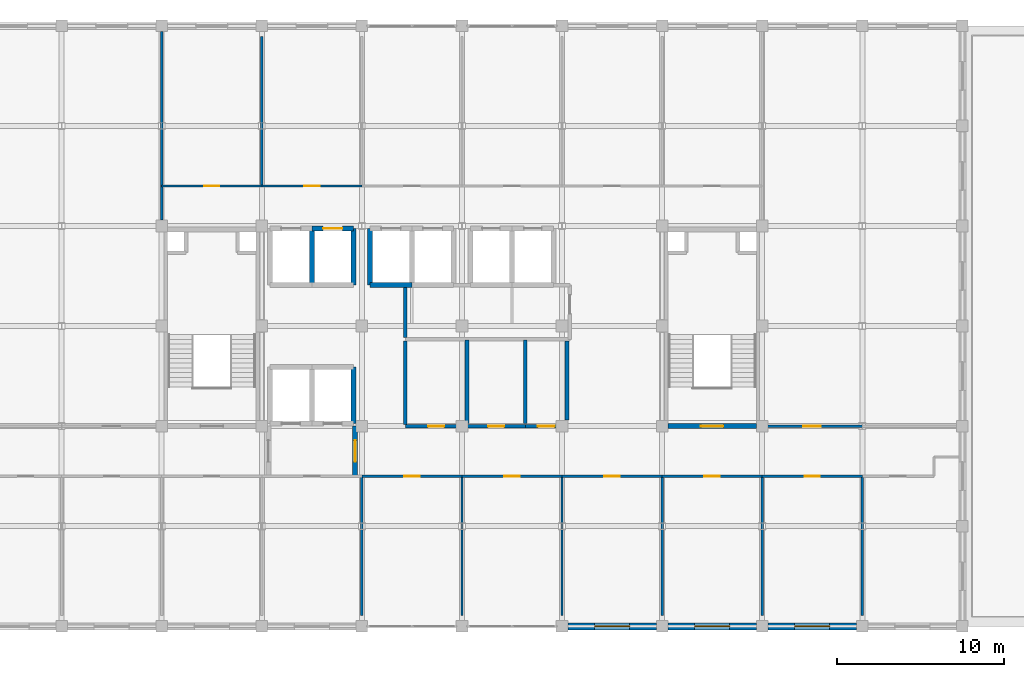
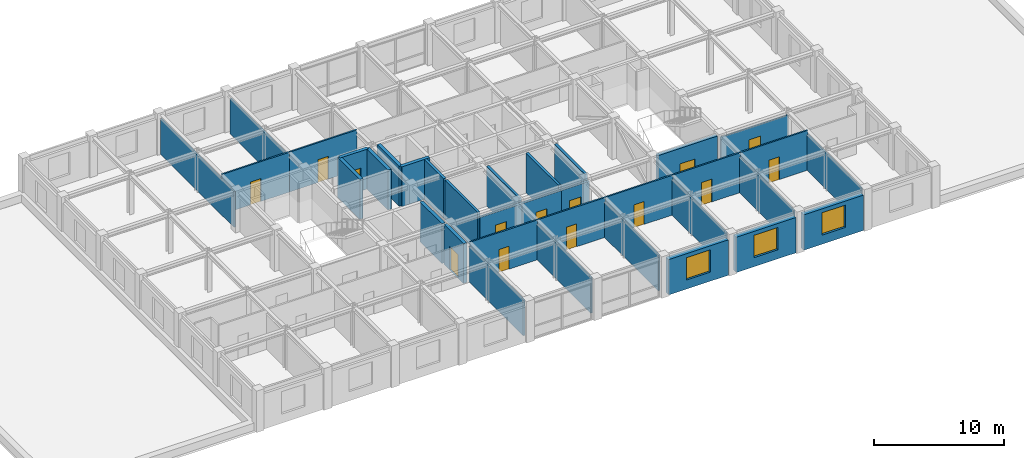
# One storey, part 9 of 13: 35 walls, 14 doors, 3 windows, 17 openings.
"""IFC4 building model written with IfcOpenShell, lengths in metres."""

from ifc_helpers import new_model, si_unit, direction, frame, frame_2d, origin, place, context, subcontext, project, spatial, rectangle, extrude, material, layer, layer_set, type_object, element, fill, save


model = new_model("IFC4")

# Units and contexts
model_context = context("Model", 3, precision=1e-05, world=origin(), true_north=direction((0.0, 1.0)))
body_context = subcontext(model_context, "Body", "Model", "MODEL_VIEW")
ifc_project = project(units=[si_unit("LENGTHUNIT", "METRE"), si_unit("AREAUNIT", "SQUARE_METRE"), si_unit("VOLUMEUNIT", "CUBIC_METRE"), si_unit("PLANEANGLEUNIT", "RADIAN"), si_unit("MASSUNIT", "GRAM", prefix="KILO")], contexts=[model_context])

# Site, building, storey
site_placement = place(None, origin())
site = spatial("IfcSite", under=ifc_project, at=site_placement, CompositionType="ELEMENT")
building_placement = place(site_placement, origin())
building = spatial("IfcBuilding", under=site, at=building_placement, Name="Zlatovratsky Civic Hall", CompositionType="ELEMENT")
storey_placement = place(building_placement, frame((0.0, 0.0, 24.89990234375)))
storey = spatial("IfcBuildingStorey", under=building, at=storey_placement, Name="L06", CompositionType="ELEMENT", Elevation=24.89990234375)

# Wall, opening, door
ifc_material_1 = material(Name="Fire-rated gypsum board framing", Category="gypsum")
ifc_layer_1 = layer(ifc_material_1, 0.139892578125)
ifc_layer_set_1 = layer_set([ifc_layer_1], Name="Fire-rated gypsum board framing")
wall_type_1 = type_object("IfcWallType", Name="Wall_OfficePartition_140", PredefinedType="PARTITIONING", material=ifc_layer_set_1)
wall_1_placement = place(storey_placement, frame((78.0, 81.0, 0.0), z_axis=(0.0, 0.0, 1.0), x_axis=(1.0, 0.0, 0.0)))
wall_1 = element("IfcWall", 1, at=wall_1_placement, inside=storey, type_object=wall_type_1, Name="WL-6306", PredefinedType="PARTITIONING", context=body_context, shape_type="SweptSolid", body=[
    extrude(rectangle(XDim=6.0, YDim=0.139892578125, at=frame_2d((3.0, 0.0))), origin(), (0.0, 0.0, 1.0), 3.739990234375),
])
opening_1_placement = place(wall_1_placement, frame((2.5400390625, 0.0, 0.0)))
opening_1 = element("IfcOpeningElement", 2, at=opening_1_placement, cuts=wall_1, Name="Opening D-23", PredefinedType="OPENING", context=body_context, shape_type="SweptSolid", body=[
    extrude(rectangle(XDim=0.919921875, YDim=2.14990234375, at=frame_2d((0.4599609375, 1.074951171875))), frame((0.0, 0.0849609375, 0.0), z_axis=(0.0, -1.0, 0.0), x_axis=(1.0, 0.0, 0.0)), (0.0, 0.0, 1.0), 0.169677734375),
])
ifc_material_2 = material(Name="Solid oak joinery in steel frame", Category="steel")
door_type_1 = type_object("IfcDoorType", Name="Door_OfficeStandard_920x2150", OperationType="NOTDEFINED", PredefinedType="DOOR", material=ifc_material_2)
door_1_placement = place(opening_1_placement, origin())
door_1 = element("IfcDoor", 3, at=door_1_placement, inside=storey, type_object=door_type_1, Name="DR-5363", OperationType="SINGLE_SWING_RIGHT", OverallHeight=2.14990234375, OverallWidth=0.919921875, PredefinedType="DOOR", context=body_context, shape_type="SweptSolid", body=[
    extrude(rectangle(XDim=0.919921875, YDim=2.14990234375, at=frame_2d((0.4599609375, 1.074951171875))), frame((0.0, 0.02490234375, 0.0), z_axis=(0.0, -1.0, 0.0), x_axis=(1.0, 0.0, 0.0)), (0.0, 0.0, 1.0), 0.050048828125),
])
fill(opening_1, door_1)

wall_2_placement = place(storey_placement, frame((84.0, 81.0, 0.0), z_axis=(0.0, 0.0, 1.0), x_axis=(1.0, 0.0, 0.0)))
wall_2 = element("IfcWall", 4, at=wall_2_placement, inside=storey, type_object=wall_type_1, Name="WL-6307", PredefinedType="PARTITIONING", context=body_context, shape_type="SweptSolid", body=[
    extrude(rectangle(XDim=6.0, YDim=0.139892578125, at=frame_2d((3.0, 0.0))), origin(), (0.0, 0.0, 1.0), 3.739990234375),
])
opening_2_placement = place(wall_2_placement, frame((2.5400390625, 0.0, 0.0)))
opening_2 = element("IfcOpeningElement", 5, at=opening_2_placement, cuts=wall_2, Name="Opening D-23", PredefinedType="OPENING", context=body_context, shape_type="SweptSolid", body=[
    extrude(rectangle(XDim=0.919921875, YDim=2.14990234375, at=frame_2d((0.4599609375, 1.074951171875))), frame((0.0, 0.0849609375, 0.0), z_axis=(0.0, -1.0, 0.0), x_axis=(1.0, 0.0, 0.0)), (0.0, 0.0, 1.0), 0.169677734375),
])
door_2_placement = place(opening_2_placement, origin())
door_2 = element("IfcDoor", 6, at=door_2_placement, inside=storey, type_object=door_type_1, Name="DR-5364", OperationType="SINGLE_SWING_RIGHT", OverallHeight=2.14990234375, OverallWidth=0.919921875, PredefinedType="DOOR", context=body_context, shape_type="SweptSolid", body=[
    extrude(rectangle(XDim=0.919921875, YDim=2.14990234375, at=frame_2d((0.4599609375, 1.074951171875))), frame((0.0, 0.02490234375, 0.0), z_axis=(0.0, -1.0, 0.0), x_axis=(1.0, 0.0, 0.0)), (0.0, 0.0, 1.0), 0.050048828125),
])
fill(opening_2, door_2)

wall_3_placement = place(storey_placement, frame((90.0, 81.0, 0.0), z_axis=(0.0, 0.0, 1.0), x_axis=(1.0, 0.0, 0.0)))
wall_3 = element("IfcWall", 7, at=wall_3_placement, inside=storey, type_object=wall_type_1, Name="WL-6308", PredefinedType="PARTITIONING", context=body_context, shape_type="SweptSolid", body=[
    extrude(rectangle(XDim=6.0, YDim=0.139892578125, at=frame_2d((3.0, 0.0))), origin(), (0.0, 0.0, 1.0), 3.739990234375),
])
opening_3_placement = place(wall_3_placement, frame((2.5400390625, 0.0, 0.0)))
opening_3 = element("IfcOpeningElement", 8, at=opening_3_placement, cuts=wall_3, Name="Opening D-23", PredefinedType="OPENING", context=body_context, shape_type="SweptSolid", body=[
    extrude(rectangle(XDim=0.919921875, YDim=2.14990234375, at=frame_2d((0.4599609375, 1.074951171875))), frame((0.0, 0.0849609375, 0.0), z_axis=(0.0, -1.0, 0.0), x_axis=(1.0, 0.0, 0.0)), (0.0, 0.0, 1.0), 0.169677734375),
])
door_3_placement = place(opening_3_placement, origin())
door_3 = element("IfcDoor", 9, at=door_3_placement, inside=storey, type_object=door_type_1, Name="DR-5365", OperationType="SINGLE_SWING_RIGHT", OverallHeight=2.14990234375, OverallWidth=0.919921875, PredefinedType="DOOR", context=body_context, shape_type="SweptSolid", body=[
    extrude(rectangle(XDim=0.919921875, YDim=2.14990234375, at=frame_2d((0.4599609375, 1.074951171875))), frame((0.0, 0.02490234375, 0.0), z_axis=(0.0, -1.0, 0.0), x_axis=(1.0, 0.0, 0.0)), (0.0, 0.0, 1.0), 0.050048828125),
])
fill(opening_3, door_3)

wall_4_placement = place(storey_placement, frame((96.0, 81.0, 0.0), z_axis=(0.0, 0.0, 1.0), x_axis=(1.0, 0.0, 0.0)))
wall_4 = element("IfcWall", 10, at=wall_4_placement, inside=storey, type_object=wall_type_1, Name="WL-6309", PredefinedType="PARTITIONING", context=body_context, shape_type="SweptSolid", body=[
    extrude(rectangle(XDim=6.0, YDim=0.139892578125, at=frame_2d((3.0, 0.0))), origin(), (0.0, 0.0, 1.0), 3.739990234375),
])
opening_4_placement = place(wall_4_placement, frame((2.5400390625, 0.0, 0.0)))
opening_4 = element("IfcOpeningElement", 11, at=opening_4_placement, cuts=wall_4, Name="Opening D-23", PredefinedType="OPENING", context=body_context, shape_type="SweptSolid", body=[
    extrude(rectangle(XDim=0.919921875, YDim=2.14990234375, at=frame_2d((0.4599609375, 1.074951171875))), frame((0.0, 0.0849609375, 0.0), z_axis=(0.0, -1.0, 0.0), x_axis=(1.0, 0.0, 0.0)), (0.0, 0.0, 1.0), 0.169677734375),
])
door_4_placement = place(opening_4_placement, origin())
door_4 = element("IfcDoor", 12, at=door_4_placement, inside=storey, type_object=door_type_1, Name="DR-5366", OperationType="SINGLE_SWING_RIGHT", OverallHeight=2.14990234375, OverallWidth=0.919921875, PredefinedType="DOOR", context=body_context, shape_type="SweptSolid", body=[
    extrude(rectangle(XDim=0.919921875, YDim=2.14990234375, at=frame_2d((0.4599609375, 1.074951171875))), frame((0.0, 0.02490234375, 0.0), z_axis=(0.0, -1.0, 0.0), x_axis=(1.0, 0.0, 0.0)), (0.0, 0.0, 1.0), 0.050048828125),
])
fill(opening_4, door_4)

wall_5_placement = place(storey_placement, frame((102.0, 81.0, 0.0), z_axis=(0.0, 0.0, 1.0), x_axis=(1.0, 0.0, 0.0)))
wall_5 = element("IfcWall", 13, at=wall_5_placement, inside=storey, type_object=wall_type_1, Name="WL-6310", PredefinedType="PARTITIONING", context=body_context, shape_type="SweptSolid", body=[
    extrude(rectangle(XDim=6.0, YDim=0.139892578125, at=frame_2d((3.0, 0.0))), origin(), (0.0, 0.0, 1.0), 3.739990234375),
])
opening_5_placement = place(wall_5_placement, frame((2.5400390625, 0.0, 0.0)))
opening_5 = element("IfcOpeningElement", 14, at=opening_5_placement, cuts=wall_5, Name="Opening D-23", PredefinedType="OPENING", context=body_context, shape_type="SweptSolid", body=[
    extrude(rectangle(XDim=0.919921875, YDim=2.14990234375, at=frame_2d((0.4599609375, 1.074951171875))), frame((0.0, 0.0849609375, 0.0), z_axis=(0.0, -1.0, 0.0), x_axis=(1.0, 0.0, 0.0)), (0.0, 0.0, 1.0), 0.169677734375),
])
door_5_placement = place(opening_5_placement, origin())
door_5 = element("IfcDoor", 15, at=door_5_placement, inside=storey, type_object=door_type_1, Name="DR-5367", OperationType="SINGLE_SWING_RIGHT", OverallHeight=2.14990234375, OverallWidth=0.919921875, PredefinedType="DOOR", context=body_context, shape_type="SweptSolid", body=[
    extrude(rectangle(XDim=0.919921875, YDim=2.14990234375, at=frame_2d((0.4599609375, 1.074951171875))), frame((0.0, 0.02490234375, 0.0), z_axis=(0.0, -1.0, 0.0), x_axis=(1.0, 0.0, 0.0)), (0.0, 0.0, 1.0), 0.050048828125),
])
fill(opening_5, door_5)

wall_6_placement = place(storey_placement, frame((66.0, 98.39990234375, 0.0), z_axis=(0.0, 0.0, 1.0), x_axis=(1.0, 0.0, 0.0)))
wall_6 = element("IfcWall", 16, at=wall_6_placement, inside=storey, type_object=wall_type_1, Name="WL-6312", PredefinedType="PARTITIONING", context=body_context, shape_type="SweptSolid", body=[
    extrude(rectangle(XDim=6.0, YDim=0.139892578125, at=frame_2d((3.0, 0.0))), origin(), (0.0, 0.0, 1.0), 3.739990234375),
])
opening_6_placement = place(wall_6_placement, frame((2.5400390625, 0.0, 0.0)))
opening_6 = element("IfcOpeningElement", 17, at=opening_6_placement, cuts=wall_6, Name="Opening D-23", PredefinedType="OPENING", context=body_context, shape_type="SweptSolid", body=[
    extrude(rectangle(XDim=0.919921875, YDim=2.14990234375, at=frame_2d((0.4599609375, 1.074951171875))), frame((0.0, 0.0849609375, 0.0), z_axis=(0.0, -1.0, 0.0), x_axis=(1.0, 0.0, 0.0)), (0.0, 0.0, 1.0), 0.169677734375),
])
door_6_placement = place(opening_6_placement, origin())
door_6 = element("IfcDoor", 18, at=door_6_placement, inside=storey, type_object=door_type_1, Name="DR-5369", OperationType="SINGLE_SWING_RIGHT", OverallHeight=2.14990234375, OverallWidth=0.919921875, PredefinedType="DOOR", context=body_context, shape_type="SweptSolid", body=[
    extrude(rectangle(XDim=0.919921875, YDim=2.14990234375, at=frame_2d((0.4599609375, 1.074951171875))), frame((0.0, 0.02490234375, 0.0), z_axis=(0.0, -1.0, 0.0), x_axis=(1.0, 0.0, 0.0)), (0.0, 0.0, 1.0), 0.050048828125),
])
fill(opening_6, door_6)

wall_7_placement = place(storey_placement, frame((72.0, 98.39990234375, 0.0), z_axis=(0.0, 0.0, 1.0), x_axis=(1.0, 0.0, 0.0)))
wall_7 = element("IfcWall", 19, at=wall_7_placement, inside=storey, type_object=wall_type_1, Name="WL-6313", PredefinedType="PARTITIONING", context=body_context, shape_type="SweptSolid", body=[
    extrude(rectangle(XDim=6.0, YDim=0.139892578125, at=frame_2d((3.0, 0.0))), origin(), (0.0, 0.0, 1.0), 3.739990234375),
])
opening_7_placement = place(wall_7_placement, frame((2.5400390625, 0.0, 0.0)))
opening_7 = element("IfcOpeningElement", 20, at=opening_7_placement, cuts=wall_7, Name="Opening D-23", PredefinedType="OPENING", context=body_context, shape_type="SweptSolid", body=[
    extrude(rectangle(XDim=0.919921875, YDim=2.14990234375, at=frame_2d((0.4599609375, 1.074951171875))), frame((0.0, 0.0849609375, 0.0), z_axis=(0.0, -1.0, 0.0), x_axis=(1.0, 0.0, 0.0)), (0.0, 0.0, 1.0), 0.169677734375),
])
door_7_placement = place(opening_7_placement, origin())
door_7 = element("IfcDoor", 21, at=door_7_placement, inside=storey, type_object=door_type_1, Name="DR-5370", OperationType="SINGLE_SWING_RIGHT", OverallHeight=2.14990234375, OverallWidth=0.919921875, PredefinedType="DOOR", context=body_context, shape_type="SweptSolid", body=[
    extrude(rectangle(XDim=0.919921875, YDim=2.14990234375, at=frame_2d((0.4599609375, 1.074951171875))), frame((0.0, 0.02490234375, 0.0), z_axis=(0.0, -1.0, 0.0), x_axis=(1.0, 0.0, 0.0)), (0.0, 0.0, 1.0), 0.050048828125),
])
fill(opening_7, door_7)

wall_8_placement = place(storey_placement, frame((102.0, 84.0, 0.0), z_axis=(0.0, 0.0, 1.0), x_axis=(1.0, 0.0, 0.0)))
wall_8 = element("IfcWall", 22, at=wall_8_placement, inside=storey, type_object=wall_type_1, Name="WL-6319", PredefinedType="PARTITIONING", context=body_context, shape_type="SweptSolid", body=[
    extrude(rectangle(XDim=6.0, YDim=0.139892578125, at=frame_2d((3.0, 0.0))), origin(), (0.0, 0.0, 1.0), 3.35205078125),
])
opening_8_placement = place(wall_8_placement, frame((2.47509765625, 0.0, 0.0)))
opening_8 = element("IfcOpeningElement", 23, at=opening_8_placement, cuts=wall_8, Name="Opening D-24", PredefinedType="OPENING", context=body_context, shape_type="SweptSolid", body=[
    extrude(rectangle(XDim=1.050048828125, YDim=2.25, at=frame_2d((0.52490234375, 1.125))), frame((0.0, 0.0849609375, 0.0), z_axis=(0.0, -1.0, 0.0), x_axis=(1.0, 0.0, 0.0)), (0.0, 0.0, 1.0), 0.169677734375),
])
door_type_2 = type_object("IfcDoorType", Name="Door_DirectorateOffice_1050x2250", OperationType="NOTDEFINED", PredefinedType="DOOR", material=ifc_material_2)
door_8_placement = place(opening_8_placement, origin())
door_8 = element("IfcDoor", 24, at=door_8_placement, inside=storey, type_object=door_type_2, Name="DR-5376", OperationType="SINGLE_SWING_LEFT", OverallHeight=2.25, OverallWidth=1.050048828125, PredefinedType="DOOR", context=body_context, shape_type="SweptSolid", body=[
    extrude(rectangle(XDim=1.050048828125, YDim=2.25, at=frame_2d((0.52490234375, 1.125))), frame((0.0, 0.02490234375, 0.0), z_axis=(0.0, -1.0, 0.0), x_axis=(1.0, 0.0, 0.0)), (0.0, 0.0, 1.0), 0.050048828125),
])
fill(opening_8, door_8)

# Walls
for number, where, z_axis, x_axis, name in (
    (25, (78.0, 72.64990234375, 0.0), (0.0, 0.0, 1.0), (0.0, 1.0, 0.0), "WL-6323"),
    (26, (84.0, 72.64990234375, 0.0), (0.0, 0.0, 1.0), (0.0, 1.0, 0.0), "WL-6324"),
    (27, (90.0, 72.64990234375, 0.0), (0.0, 0.0, 1.0), (0.0, 1.0, 0.0), "WL-6325"),
    (28, (96.0, 72.64990234375, 0.0), (0.0, 0.0, 1.0), (0.0, 1.0, 0.0), "WL-6326"),
    (29, (102.0, 72.64990234375, 0.0), (0.0, 0.0, 1.0), (0.0, 1.0, 0.0), "WL-6327"),
    (30, (108.0, 72.64990234375, 0.0), (0.0, 0.0, 1.0), (0.0, 1.0, 0.0), "WL-6328"),
):
    element("IfcWall", number, at=place(storey_placement, frame(where, z_axis=z_axis, x_axis=x_axis)), inside=storey, type_object=wall_type_1, Name=name, PredefinedType="PARTITIONING", context=body_context, shape_type="SweptSolid", body=[
        extrude(rectangle(XDim=8.35009765625, YDim=0.139892578125, at=frame_2d((4.175048828125, 0.0))), origin(), (0.0, 0.0, 1.0), 3.35205078125),
    ])
wall_9_placement = place(storey_placement, frame((72.0, 98.39990234375, 0.0), z_axis=(0.0, 0.0, 1.0), x_axis=(0.0, 1.0, 0.0)))
element("IfcWall", 31, at=wall_9_placement, inside=storey, type_object=wall_type_1, Name="WL-6329", PredefinedType="PARTITIONING", context=body_context, shape_type="SweptSolid", body=[
    extrude(rectangle(XDim=8.9501953125, YDim=0.139892578125, at=frame_2d((4.47509765625, 0.0))), origin(), (0.0, 0.0, 1.0), 3.35205078125),
])
wall_10_placement = place(storey_placement, frame((66.0, 96.35009765625, 0.0), z_axis=(0.0, 0.0, 1.0), x_axis=(0.0, 1.0, 0.0)))
element("IfcWall", 32, at=wall_10_placement, inside=storey, type_object=wall_type_1, Name="WL-6343", PredefinedType="PARTITIONING", context=body_context, shape_type="SweptSolid", body=[
    extrude(rectangle(XDim=11.2998046875, YDim=0.139892578125, at=frame_2d((5.64990234375, 0.0))), origin(), (0.0, 0.0, 1.0), 3.35205078125),
])

# Wall, opening, door
ifc_material_3 = material(Name="Acoustic ceramic blockwork", Category="masonry")
ifc_layer_2 = layer(ifc_material_3, 0.219970703125)
ifc_layer_set_2 = layer_set([ifc_layer_2], Name="Acoustic ceramic blockwork")
wall_type_2 = type_object("IfcWallType", Name="Wall_SanitaryWetCore_220", PredefinedType="PARTITIONING", material=ifc_layer_set_2)
wall_11_placement = place(storey_placement, frame((80.60009765625, 84.0, 0.0), z_axis=(0.0, 0.0, 1.0), x_axis=(1.0, 0.0, 0.0)))
wall_11 = element("IfcWall", 33, at=wall_11_placement, inside=storey, type_object=wall_type_2, Name="WL-6295", PredefinedType="PARTITIONING", context=body_context, shape_type="SweptSolid", body=[
    extrude(rectangle(XDim=3.699951171875, YDim=0.219970703125, at=frame_2d((1.85009765625, 0.0))), origin(), (0.0, 0.0, 1.0), 3.35205078125),
])
opening_9_placement = place(wall_11_placement, frame((1.375, 0.0, 0.0)))
opening_9 = element("IfcOpeningElement", 34, at=opening_9_placement, cuts=wall_11, Name="Opening D-21", PredefinedType="OPENING", context=body_context, shape_type="SweptSolid", body=[
    extrude(rectangle(XDim=0.949951171875, YDim=2.14990234375, at=frame_2d((0.47509765625, 1.074951171875))), frame((0.0, 0.125, 0.0), z_axis=(0.0, -1.0, 0.0), x_axis=(1.0, 0.0, 0.0)), (0.0, 0.0, 1.0), 0.249755859375),
])
door_type_3 = type_object("IfcDoorType", Name="Door_MensWC_950x2150", OperationType="NOTDEFINED", PredefinedType="DOOR", material=ifc_material_2)
door_9_placement = place(opening_9_placement, origin())
door_9 = element("IfcDoor", 35, at=door_9_placement, inside=storey, type_object=door_type_3, Name="DR-5355", OperationType="SINGLE_SWING_LEFT", OverallHeight=2.14990234375, OverallWidth=0.949951171875, PredefinedType="DOOR", context=body_context, shape_type="SweptSolid", body=[
    extrude(rectangle(XDim=0.949951171875, YDim=2.14990234375, at=frame_2d((0.47509765625, 1.074951171875))), frame((0.0, 0.02490234375, 0.0), z_axis=(0.0, -1.0, 0.0), x_axis=(1.0, 0.0, 0.0)), (0.0, 0.0, 1.0), 0.050048828125),
])
fill(opening_9, door_9)

wall_12_placement = place(storey_placement, frame((84.300048828125, 84.0, 0.0), z_axis=(0.0, 0.0, 1.0), x_axis=(1.0, 0.0, 0.0)))
wall_12 = element("IfcWall", 36, at=wall_12_placement, inside=storey, type_object=wall_type_2, Name="WL-6296", PredefinedType="PARTITIONING", context=body_context, shape_type="SweptSolid", body=[
    extrude(rectangle(XDim=3.5, YDim=0.219970703125, at=frame_2d((1.75, 0.0))), origin(), (0.0, 0.0, 1.0), 3.35205078125),
])
opening_10_placement = place(wall_12_placement, frame((1.27490234375, 0.0, 0.0)))
opening_10 = element("IfcOpeningElement", 37, at=opening_10_placement, cuts=wall_12, Name="Opening D-22", PredefinedType="OPENING", context=body_context, shape_type="SweptSolid", body=[
    extrude(rectangle(XDim=0.949951171875, YDim=2.10009765625, at=frame_2d((0.47509765625, 1.050048828125))), frame((0.0, 0.125, 0.0), z_axis=(0.0, -1.0, 0.0), x_axis=(1.0, 0.0, 0.0)), (0.0, 0.0, 1.0), 0.249755859375),
])
door_type_4 = type_object("IfcDoorType", Name="Door_WomensWC_950x2100", OperationType="NOTDEFINED", PredefinedType="DOOR", material=ifc_material_2)
door_10_placement = place(opening_10_placement, origin())
door_10 = element("IfcDoor", 38, at=door_10_placement, inside=storey, type_object=door_type_4, Name="DR-5356", OperationType="SINGLE_SWING_RIGHT", OverallHeight=2.10009765625, OverallWidth=0.949951171875, PredefinedType="DOOR", context=body_context, shape_type="SweptSolid", body=[
    extrude(rectangle(XDim=0.949951171875, YDim=2.10009765625, at=frame_2d((0.47509765625, 1.050048828125))), frame((0.0, 0.02490234375, 0.0), z_axis=(0.0, -1.0, 0.0), x_axis=(1.0, 0.0, 0.0)), (0.0, 0.0, 1.0), 0.050048828125),
])
fill(opening_10, door_10)

wall_13_placement = place(storey_placement, frame((87.800048828125, 84.0, 0.0), z_axis=(0.0, 0.0, 1.0), x_axis=(1.0, 0.0, 0.0)))
wall_13 = element("IfcWall", 39, at=wall_13_placement, inside=storey, type_object=wall_type_2, Name="WL-6297", PredefinedType="PARTITIONING", context=body_context, shape_type="SweptSolid", body=[
    extrude(rectangle(XDim=2.5, YDim=0.219970703125, at=frame_2d((1.25, 0.0))), origin(), (0.0, 0.0, 1.0), 3.35205078125),
])
opening_11_placement = place(wall_13_placement, frame((0.75, 0.0, 0.0)))
opening_11 = element("IfcOpeningElement", 40, at=opening_11_placement, cuts=wall_13, Name="Opening D-20", PredefinedType="OPENING", context=body_context, shape_type="SweptSolid", body=[
    extrude(rectangle(XDim=1.0, YDim=2.14990234375, at=frame_2d((0.5, 1.074951171875))), frame((0.0, 0.125, 0.0), z_axis=(0.0, -1.0, 0.0), x_axis=(1.0, 0.0, 0.0)), (0.0, 0.0, 1.0), 0.249755859375),
])
door_type_5 = type_object("IfcDoorType", Name="Door_AccessibleWC_1000x2150", OperationType="NOTDEFINED", PredefinedType="DOOR", material=ifc_material_2)
door_11_placement = place(opening_11_placement, origin())
door_11 = element("IfcDoor", 41, at=door_11_placement, inside=storey, type_object=door_type_5, Name="DR-5357", OperationType="SINGLE_SWING_LEFT", OverallHeight=2.14990234375, OverallWidth=1.0, PredefinedType="DOOR", context=body_context, shape_type="SweptSolid", body=[
    extrude(rectangle(XDim=1.0, YDim=2.14990234375, at=frame_2d((0.5, 1.074951171875))), frame((0.0, 0.02490234375, 0.0), z_axis=(0.0, -1.0, 0.0), x_axis=(1.0, 0.0, 0.0)), (0.0, 0.0, 1.0), 0.050048828125),
])
fill(opening_11, door_11)

# Walls
for number, where, z_axis, x_axis, name in (
    (42, (84.300048828125, 84.14990234375, 0.0), (0.0, 0.0, 1.0), (0.0, 1.0, 0.0), "WL-6298"),
    (43, (87.800048828125, 84.14990234375, 0.0), (0.0, 0.0, 1.0), (0.0, 1.0, 0.0), "WL-6299"),
):
    element("IfcWall", number, at=place(storey_placement, frame(where, z_axis=z_axis, x_axis=x_axis)), inside=storey, type_object=wall_type_2, Name=name, PredefinedType="PARTITIONING", context=body_context, shape_type="SweptSolid", body=[
        extrude(rectangle(XDim=5.0, YDim=0.219970703125, at=frame_2d((2.5, 0.0))), origin(), (0.0, 0.0, 1.0), 3.739990234375),
    ])
wall_14_placement = place(storey_placement, frame((80.60009765625, 84.110107421875, 0.0), z_axis=(0.0, 0.0, 1.0), x_axis=(0.0, 1.0, 0.0)))
element("IfcWall", 44, at=wall_14_placement, inside=storey, type_object=wall_type_2, Name="WL-6334", PredefinedType="PARTITIONING", context=body_context, shape_type="SweptSolid", body=[
    extrude(rectangle(XDim=4.97998046875, YDim=0.219970703125, at=frame_2d((2.489990234375, 0.0))), origin(), (0.0, 0.0, 1.0), 3.739990234375),
])
wall_15_placement = place(storey_placement, frame((90.300048828125, 84.360107421875, 0.0), z_axis=(0.0, 0.0, 1.0), x_axis=(0.0, 1.0, 0.0)))
element("IfcWall", 45, at=wall_15_placement, inside=storey, type_object=wall_type_2, Name="WL-6335", PredefinedType="PARTITIONING", context=body_context, shape_type="SweptSolid", body=[
    extrude(rectangle(XDim=4.72998046875, YDim=0.219970703125, at=frame_2d((2.364990234375, 0.0))), origin(), (0.0, 0.0, 1.0), 3.739990234375),
])
wall_16_placement = place(storey_placement, frame((80.60009765625, 89.31005859375, 0.0), z_axis=(0.0, 0.0, 1.0), x_axis=(0.0, 1.0, 0.0)))
element("IfcWall", 46, at=wall_16_placement, inside=storey, type_object=wall_type_2, Name="WL-6336", PredefinedType="PARTITIONING", context=body_context, shape_type="SweptSolid", body=[
    extrude(rectangle(XDim=2.989990234375, YDim=0.219970703125, at=frame_2d((1.4951171875, 0.0))), origin(), (0.0, 0.0, 1.0), 3.739990234375),
])

# Wall, opening, door
ifc_material_4 = material(Name="Concrete C35/45 (B40)", Category="concrete")
ifc_layer_3 = layer(ifc_material_4, 0.300048828125)
ifc_layer_set_3 = layer_set([ifc_layer_3], Name="Concrete C35/45 (B40)")
wall_type_3 = type_object("IfcWallType", Name="Wall_StairAndLiftShaft_300", PredefinedType="SHEAR", material=ifc_layer_set_3)
wall_17_placement = place(storey_placement, frame((96.35009765625, 84.0, 0.0), z_axis=(0.0, 0.0, 1.0), x_axis=(1.0, 0.0, 0.0)))
wall_17 = element("IfcWall", 47, at=wall_17_placement, inside=storey, type_object=wall_type_3, Name="WL-5207", PredefinedType="SHEAR", context=body_context, shape_type="SweptSolid", body=[
    extrude(rectangle(XDim=5.2998046875, YDim=0.300048828125, at=frame_2d((2.64990234375, 0.0))), origin(), (0.0, 0.0, 1.0), 3.66015625),
])
opening_12_placement = place(wall_17_placement, frame((1.97509765625, 0.0, 0.0)))
opening_12 = element("IfcOpeningElement", 48, at=opening_12_placement, cuts=wall_17, Name="Opening D-17", PredefinedType="OPENING", context=body_context, shape_type="SweptSolid", body=[
    extrude(rectangle(XDim=1.35009765625, YDim=2.199951171875, at=frame_2d((0.675048828125, 1.10009765625))), frame((0.0, 0.1650390625, 0.0), z_axis=(0.0, -1.0, 0.0), x_axis=(1.0, 0.0, 0.0)), (0.0, 0.0, 1.0), 0.329833984375),
])
ifc_material_5 = material(Name="Insulated painted fire-rated steel leaf", Category="steel")
door_type_6 = type_object("IfcDoorType", Name="Door_StairwellFireTower_1350x2200", OperationType="NOTDEFINED", PredefinedType="DOOR", material=ifc_material_5)
door_12_placement = place(opening_12_placement, origin())
door_12 = element("IfcDoor", 49, at=door_12_placement, inside=storey, type_object=door_type_6, Name="DR-5026", OperationType="SINGLE_SWING_LEFT", OverallHeight=2.199951171875, OverallWidth=1.35009765625, PredefinedType="DOOR", context=body_context, shape_type="SweptSolid", body=[
    extrude(rectangle(XDim=1.35009765625, YDim=2.199951171875, at=frame_2d((0.675048828125, 1.10009765625))), frame((0.0, 0.02490234375, 0.0), z_axis=(0.0, -1.0, 0.0), x_axis=(1.0, 0.0, 0.0)), (0.0, 0.0, 1.0), 0.050048828125),
])
fill(opening_12, door_12)

# Wall
wall_18_placement = place(storey_placement, frame((77.5, 84.14990234375, 0.0), z_axis=(0.0, 0.0, 1.0), x_axis=(0.0, 1.0, 0.0)))
element("IfcWall", 50, at=wall_18_placement, inside=storey, type_object=wall_type_3, Name="WL-5577", PredefinedType="SHEAR", context=body_context, shape_type="SweptSolid", body=[
    extrude(rectangle(XDim=3.400146484375, YDim=0.300048828125, at=frame_2d((1.7001953125, 0.0))), origin(), (0.0, 0.0, 1.0), 3.739990234375),
])

# Wall, opening, door
wall_19_placement = place(storey_placement, frame((75.0, 95.85009765625, 0.0), z_axis=(0.0, 0.0, 1.0), x_axis=(1.0, 0.0, 0.0)))
wall_19 = element("IfcWall", 51, at=wall_19_placement, inside=storey, type_object=wall_type_3, Name="WL-5707", PredefinedType="SHEAR", context=body_context, shape_type="SweptSolid", body=[
    extrude(rectangle(XDim=2.5, YDim=0.300048828125, at=frame_2d((1.25, 0.0))), origin(), (0.0, 0.0, 1.0), 3.739990234375),
])
opening_13_placement = place(wall_19_placement, frame((0.675048828125, 0.0, 0.0)))
opening_13 = element("IfcOpeningElement", 52, at=opening_13_placement, cuts=wall_19, Name="Opening LD-02", PredefinedType="OPENING", context=body_context, shape_type="SweptSolid", body=[
    extrude(rectangle(XDim=1.14990234375, YDim=2.14990234375, at=frame_2d((0.574951171875, 1.074951171875))), frame((0.0, 0.1650390625, 0.0), z_axis=(0.0, -1.0, 0.0), x_axis=(1.0, 0.0, 0.0)), (0.0, 0.0, 1.0), 0.329833984375),
])
ifc_material_6 = material(Name="Brushed stainless steel AISI 304", Category="steel")
door_type_7 = type_object("IfcDoorType", Name="Door_LiftLandingHighRise_1150x2150", OperationType="DOUBLE_DOOR_SLIDING", PredefinedType="DOOR", material=ifc_material_6)
door_13_placement = place(opening_13_placement, origin())
door_13 = element("IfcDoor", 53, at=door_13_placement, inside=storey, type_object=door_type_7, Name="Lift landing door LD-5122", OperationType="DOUBLE_DOOR_SLIDING", OverallHeight=2.14990234375, OverallWidth=1.14990234375, PredefinedType="DOOR", context=body_context, shape_type="SweptSolid", body=[
    extrude(rectangle(XDim=1.14990234375, YDim=2.14990234375, at=frame_2d((0.574951171875, 1.074951171875))), frame((0.0, 0.02490234375, 0.0), z_axis=(0.0, -1.0, 0.0), x_axis=(1.0, 0.0, 0.0)), (0.0, 0.0, 1.0), 0.050048828125),
])
fill(opening_13, door_13)

# Walls
for number, where, z_axis, x_axis, name in (
    (54, (75.0, 92.449951171875, 0.0), (0.0, 0.0, 1.0), (0.0, 1.0, 0.0), "WL-5709"),
    (55, (77.5, 92.449951171875, 0.0), (0.0, 0.0, 1.0), (0.0, 1.0, 0.0), "WL-5710"),
):
    element("IfcWall", number, at=place(storey_placement, frame(where, z_axis=z_axis, x_axis=x_axis)), inside=storey, type_object=wall_type_3, Name=name, PredefinedType="SHEAR", context=body_context, shape_type="SweptSolid", body=[
        extrude(rectangle(XDim=3.400146484375, YDim=0.300048828125, at=frame_2d((1.7001953125, 0.0))), origin(), (0.0, 0.0, 1.0), 3.739990234375),
    ])
wall_20_placement = place(storey_placement, frame((78.5, 92.449951171875, 0.0), z_axis=(0.0, 0.0, 1.0), x_axis=(1.0, 0.0, 0.0)))
element("IfcWall", 56, at=wall_20_placement, inside=storey, type_object=wall_type_3, Name="WL-5778", PredefinedType="SHEAR", context=body_context, shape_type="SweptSolid", body=[
    extrude(rectangle(XDim=2.5, YDim=0.300048828125, at=frame_2d((1.25, 0.0))), origin(), (0.0, 0.0, 1.0), 3.739990234375),
])
wall_21_placement = place(storey_placement, frame((78.5, 92.449951171875, 0.0), z_axis=(0.0, 0.0, 1.0), x_axis=(0.0, 1.0, 0.0)))
element("IfcWall", 57, at=wall_21_placement, inside=storey, type_object=wall_type_3, Name="WL-5779", PredefinedType="SHEAR", context=body_context, shape_type="SweptSolid", body=[
    extrude(rectangle(XDim=3.400146484375, YDim=0.300048828125, at=frame_2d((1.7001953125, 0.0))), origin(), (0.0, 0.0, 1.0), 3.739990234375),
])

# Wall, opening, door
wall_22_placement = place(storey_placement, frame((77.60009765625, 81.0, 0.0), z_axis=(0.0, 0.0, 1.0), x_axis=(0.0, 1.0, 0.0)))
wall_22 = element("IfcWall", 58, at=wall_22_placement, inside=storey, type_object=wall_type_3, Name="WL-6294", PredefinedType="SHEAR", context=body_context, shape_type="SweptSolid", body=[
    extrude(rectangle(XDim=3.0, YDim=0.300048828125, at=frame_2d((1.5, 0.0))), origin(), (0.0, 0.0, 1.0), 3.739990234375),
])
opening_14_placement = place(wall_22_placement, frame((0.85009765625, 0.0, 0.0)))
opening_14 = element("IfcOpeningElement", 59, at=opening_14_placement, cuts=wall_22, Name="Opening D-18", PredefinedType="OPENING", context=body_context, shape_type="SweptSolid", body=[
    extrude(rectangle(XDim=1.300048828125, YDim=2.199951171875, at=frame_2d((0.64990234375, 1.10009765625))), frame((0.0, 0.1650390625, 0.0), z_axis=(0.0, -1.0, 0.0), x_axis=(1.0, 0.0, 0.0)), (0.0, 0.0, 1.0), 0.329833984375),
])
door_type_8 = type_object("IfcDoorType", Name="Door_FireLobbyAirlock_1300x2200", OperationType="NOTDEFINED", PredefinedType="DOOR", material=ifc_material_5)
door_14_placement = place(opening_14_placement, origin())
door_14 = element("IfcDoor", 60, at=door_14_placement, inside=storey, type_object=door_type_8, Name="DR-5354", OperationType="SINGLE_SWING_RIGHT", OverallHeight=2.199951171875, OverallWidth=1.300048828125, PredefinedType="DOOR", context=body_context, shape_type="SweptSolid", body=[
    extrude(rectangle(XDim=1.300048828125, YDim=2.199951171875, at=frame_2d((0.64990234375, 1.10009765625))), frame((0.0, 0.02490234375, 0.0), z_axis=(0.0, -1.0, 0.0), x_axis=(1.0, 0.0, 0.0)), (0.0, 0.0, 1.0), 0.050048828125),
])
fill(opening_14, door_14)

# Wall, opening, window
ifc_layer_4 = layer(ifc_material_3, 0.280029296875, Name="Backing")
ifc_material_7 = material(Name="Podolsk limestone ashlar", Category="masonry")
ifc_layer_5 = layer(ifc_material_7, 0.139892578125, Name="Finish")
ifc_layer_set_4 = layer_set([ifc_layer_4, ifc_layer_5], Name="Acoustic ceramic blockwork")
wall_type_4 = type_object("IfcWallType", Name="Wall_TowerLimestoneAshlar_420", PredefinedType="SOLIDWALL", material=ifc_layer_set_4)
wall_23_placement = place(storey_placement, frame((90.35009765625, 72.0, 0.0), z_axis=(0.0, 0.0, 1.0), x_axis=(1.0, 0.0, 0.0)))
wall_23 = element("IfcWall", 61, at=wall_23_placement, inside=storey, type_object=wall_type_4, Name="WL-0421", PredefinedType="SOLIDWALL", context=body_context, shape_type="SweptSolid", body=[
    extrude(rectangle(XDim=5.2998046875, YDim=0.419921875, at=frame_2d((2.64990234375, 0.0))), origin(), (0.0, 0.0, 1.0), 3.320068359375),
])
opening_15_placement = place(wall_23_placement, frame((1.60009765625, 0.0, 0.85009765625)))
opening_15 = element("IfcOpeningElement", 62, at=opening_15_placement, cuts=wall_23, Name="Opening WN-14", PredefinedType="OPENING", context=body_context, shape_type="SweptSolid", body=[
    extrude(rectangle(XDim=2.10009765625, YDim=2.10009765625, at=frame_2d((1.050048828125, 1.050048828125))), frame((0.0, 0.224853515625, 0.0), z_axis=(0.0, -1.0, 0.0), x_axis=(1.0, 0.0, 0.0)), (0.0, 0.0, 1.0), 0.44970703125),
])
ifc_material_8 = material(Name="Low-E laminated double glazing", Category="glass")
window_type = type_object("IfcWindowType", Name="Window_TowerTier1South_2100x2100", PartitioningType="SINGLE_PANEL", PredefinedType="WINDOW", material=ifc_material_8)
window_1_placement = place(opening_15_placement, origin())
window_1 = element("IfcWindow", 63, at=window_1_placement, inside=storey, type_object=window_type, Name="WN-0325", OverallHeight=2.10009765625, OverallWidth=2.10009765625, PartitioningType="SINGLE_PANEL", PredefinedType="WINDOW", context=body_context, shape_type="SweptSolid", body=[
    extrude(rectangle(XDim=2.10009765625, YDim=2.10009765625, at=frame_2d((1.050048828125, 1.050048828125))), frame((0.0, 0.030029296875, 0.0), z_axis=(0.0, -1.0, 0.0), x_axis=(1.0, 0.0, 0.0)), (0.0, 0.0, 1.0), 0.06005859375),
])
fill(opening_15, window_1)

wall_24_placement = place(storey_placement, frame((96.35009765625, 72.0, 0.0), z_axis=(0.0, 0.0, 1.0), x_axis=(1.0, 0.0, 0.0)))
wall_24 = element("IfcWall", 64, at=wall_24_placement, inside=storey, type_object=wall_type_4, Name="WL-0422", PredefinedType="SOLIDWALL", context=body_context, shape_type="SweptSolid", body=[
    extrude(rectangle(XDim=5.2998046875, YDim=0.419921875, at=frame_2d((2.64990234375, 0.0))), origin(), (0.0, 0.0, 1.0), 3.320068359375),
])
opening_16_placement = place(wall_24_placement, frame((1.60009765625, 0.0, 0.85009765625)))
opening_16 = element("IfcOpeningElement", 65, at=opening_16_placement, cuts=wall_24, Name="Opening WN-14", PredefinedType="OPENING", context=body_context, shape_type="SweptSolid", body=[
    extrude(rectangle(XDim=2.10009765625, YDim=2.10009765625, at=frame_2d((1.050048828125, 1.050048828125))), frame((0.0, 0.224853515625, 0.0), z_axis=(0.0, -1.0, 0.0), x_axis=(1.0, 0.0, 0.0)), (0.0, 0.0, 1.0), 0.44970703125),
])
window_2_placement = place(opening_16_placement, origin())
window_2 = element("IfcWindow", 66, at=window_2_placement, inside=storey, type_object=window_type, Name="WN-0326", OverallHeight=2.10009765625, OverallWidth=2.10009765625, PartitioningType="SINGLE_PANEL", PredefinedType="WINDOW", context=body_context, shape_type="SweptSolid", body=[
    extrude(rectangle(XDim=2.10009765625, YDim=2.10009765625, at=frame_2d((1.050048828125, 1.050048828125))), frame((0.0, 0.030029296875, 0.0), z_axis=(0.0, -1.0, 0.0), x_axis=(1.0, 0.0, 0.0)), (0.0, 0.0, 1.0), 0.06005859375),
])
fill(opening_16, window_2)

wall_25_placement = place(storey_placement, frame((102.35009765625, 72.0, 0.0), z_axis=(0.0, 0.0, 1.0), x_axis=(1.0, 0.0, 0.0)))
wall_25 = element("IfcWall", 67, at=wall_25_placement, inside=storey, type_object=wall_type_4, Name="WL-0423", PredefinedType="SOLIDWALL", context=body_context, shape_type="SweptSolid", body=[
    extrude(rectangle(XDim=5.2998046875, YDim=0.419921875, at=frame_2d((2.64990234375, 0.0))), origin(), (0.0, 0.0, 1.0), 3.320068359375),
])
opening_17_placement = place(wall_25_placement, frame((1.60009765625, 0.0, 0.85009765625)))
opening_17 = element("IfcOpeningElement", 68, at=opening_17_placement, cuts=wall_25, Name="Opening WN-14", PredefinedType="OPENING", context=body_context, shape_type="SweptSolid", body=[
    extrude(rectangle(XDim=2.10009765625, YDim=2.10009765625, at=frame_2d((1.050048828125, 1.050048828125))), frame((0.0, 0.224853515625, 0.0), z_axis=(0.0, -1.0, 0.0), x_axis=(1.0, 0.0, 0.0)), (0.0, 0.0, 1.0), 0.44970703125),
])
window_3_placement = place(opening_17_placement, origin())
window_3 = element("IfcWindow", 69, at=window_3_placement, inside=storey, type_object=window_type, Name="WN-0327", OverallHeight=2.10009765625, OverallWidth=2.10009765625, PartitioningType="SINGLE_PANEL", PredefinedType="WINDOW", context=body_context, shape_type="SweptSolid", body=[
    extrude(rectangle(XDim=2.10009765625, YDim=2.10009765625, at=frame_2d((1.050048828125, 1.050048828125))), frame((0.0, 0.030029296875, 0.0), z_axis=(0.0, -1.0, 0.0), x_axis=(1.0, 0.0, 0.0)), (0.0, 0.0, 1.0), 0.06005859375),
])
fill(opening_17, window_3)

save(model, "model.ifc")
